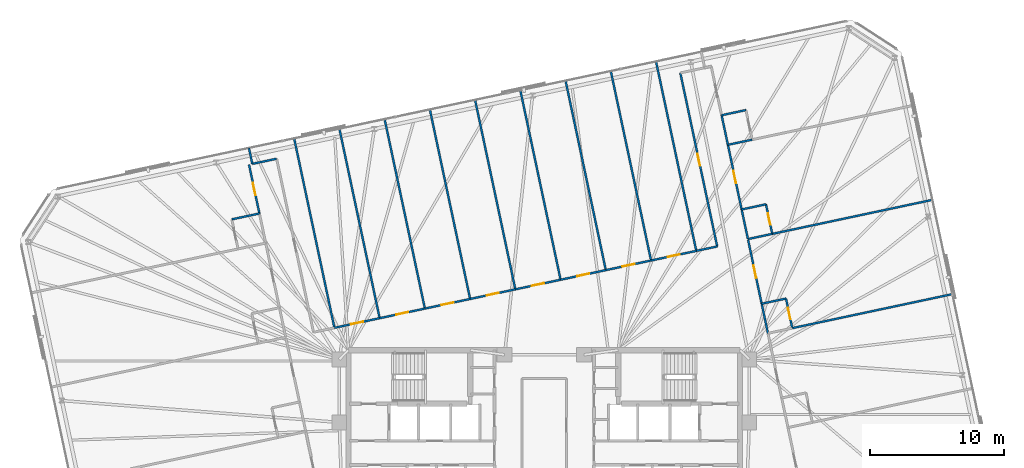
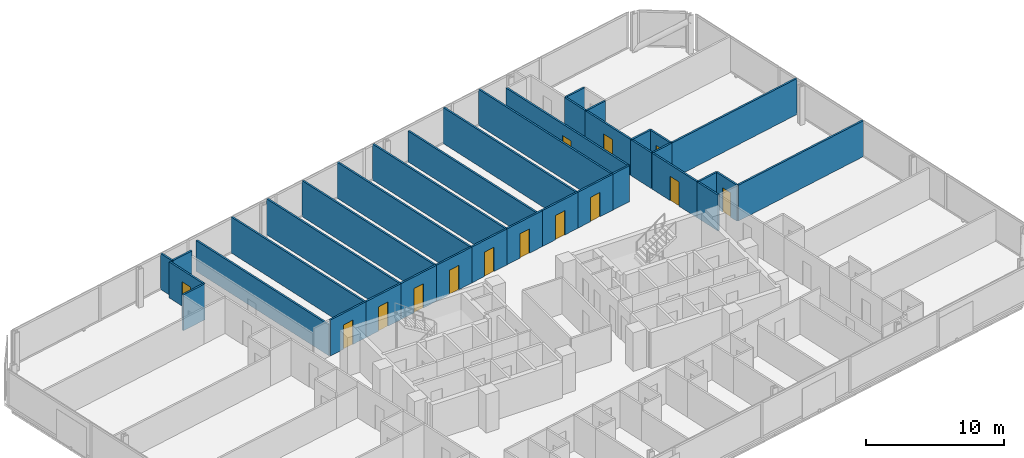
# One storey, part 18 of 21: 37 walls, 14 doors, 14 openings.
"""IFC4 building model written with IfcOpenShell, lengths in metres."""

from ifc_helpers import new_model, si_unit, direction, frame, frame_2d, origin, place, context, subcontext, project, spatial, rectangle, extrude, material, layer, layer_set, type_object, element, fill, save


model = new_model("IFC4")

# Units and contexts
model_context = context("Model", 3, precision=1e-05, world=origin(), true_north=direction((0.0, 1.0)))
body_context = subcontext(model_context, "Body", "Model", "MODEL_VIEW")
ifc_project = project(units=[si_unit("LENGTHUNIT", "METRE"), si_unit("AREAUNIT", "SQUARE_METRE"), si_unit("VOLUMEUNIT", "CUBIC_METRE"), si_unit("PLANEANGLEUNIT", "RADIAN"), si_unit("MASSUNIT", "GRAM", prefix="KILO")], contexts=[model_context])

# Site, building, storey
site_placement = place(None, origin())
site = spatial("IfcSite", under=ifc_project, at=site_placement, CompositionType="ELEMENT")
building_placement = place(site_placement, origin())
building = spatial("IfcBuilding", under=site, at=building_placement, Name="Menara Jurai Vektor", CompositionType="ELEMENT")
storey_placement = place(building_placement, frame((0.0, 0.0, 188.800048828125)))
storey = spatial("IfcBuildingStorey", under=building, at=storey_placement, Name="L49", CompositionType="ELEMENT", Elevation=188.800048828125)

# Wall
ifc_material_1 = material(Name="Gypsum Fireboard Partition", Category="gypsum")
ifc_layer_1 = layer(ifc_material_1, 0.14990234375)
ifc_layer_set_1 = layer_set([ifc_layer_1], Name="Gypsum Fireboard Partition")
wall_type_1 = type_object("IfcWallType", Name="INT-WALL-CORR-150", PredefinedType="PARTITIONING", material=ifc_layer_set_1)
wall_1_placement = place(storey_placement, frame((-21.71533203125, 19.447998046875, 0.0), z_axis=(0.0, 0.0, 1.0), x_axis=(0.978160192495, 0.207852442415, 0.0)))
element("IfcWall", 1, at=wall_1_placement, inside=storey, type_object=wall_type_1, Name="Interior Wall IW-150 L49", PredefinedType="PARTITIONING", context=body_context, shape_type="SweptSolid", body=[
    extrude(rectangle(XDim=1.849853515625, YDim=0.14990234375, at=frame_2d((0.9248046875, 0.0))), origin(), (0.0, 0.0, 1.0), 3.175048828125),
])

# Wall, opening, door
wall_2_placement = place(storey_placement, frame((-15.608154296875, 7.25634765625, 0.0), z_axis=(0.0, 0.0, 1.0), x_axis=(0.978154160849, 0.207880825506, 0.0)))
wall_2 = element("IfcWall", 2, at=wall_2_placement, inside=storey, type_object=wall_type_1, Name="Interior Wall IW-150 L49", PredefinedType="PARTITIONING", context=body_context, shape_type="SweptSolid", body=[
    extrude(rectangle(XDim=3.43994140625, YDim=0.14990234375, at=frame_2d((1.719970703125, 0.0))), origin(), (0.0, 0.0, 1.0), 3.175048828125),
])
opening_1_placement = place(wall_2_placement, frame((1.260009765625, 0.0, 0.0)))
opening_1 = element("IfcOpeningElement", 3, at=opening_1_placement, cuts=wall_2, Name="Opening D49-10", PredefinedType="OPENING", context=body_context, shape_type="SweptSolid", body=[
    extrude(rectangle(XDim=0.919921875, YDim=2.14990234375, at=frame_2d((0.4599609375, 1.074951171875))), frame((0.0, 0.0849609375, 0.0), z_axis=(0.0, -1.0, 0.0), x_axis=(1.0, 0.0, 0.0)), (0.0, 0.0, 1.0), 0.169921875),
])
ifc_material_2 = material(Name="Solid Core Timber Fire Door", Category="wood")
door_type_1 = type_object("IfcDoorType", Name="DR-ENTRY-950", OperationType="NOTDEFINED", PredefinedType="DOOR", material=ifc_material_2)
door_1_placement = place(opening_1_placement, origin())
door_1 = element("IfcDoor", 4, at=door_1_placement, inside=storey, type_object=door_type_1, Name="Interior Door D49-10", OperationType="SINGLE_SWING_LEFT", OverallHeight=2.14990234375, OverallWidth=0.919921875, PredefinedType="DOOR", context=body_context, shape_type="SweptSolid", body=[
    extrude(rectangle(XDim=0.919921875, YDim=2.14990234375, at=frame_2d((0.4599609375, 1.074951171875))), frame((0.0, 0.02490234375, 0.0), z_axis=(0.0, -1.0, 0.0), x_axis=(1.0, 0.0, 0.0)), (0.0, 0.0, 1.0), 0.050048828125),
])
fill(opening_1, door_1)

wall_3_placement = place(storey_placement, frame((-12.243408203125, 7.971435546875, 0.0), z_axis=(0.0, 0.0, 1.0), x_axis=(0.978144956759, 0.207924129352, 0.0)))
wall_3 = element("IfcWall", 5, at=wall_3_placement, inside=storey, type_object=wall_type_1, Name="Interior Wall IW-150 L49", PredefinedType="PARTITIONING", context=body_context, shape_type="SweptSolid", body=[
    extrude(rectangle(XDim=3.439208984375, YDim=0.14990234375, at=frame_2d((1.7197265625, 0.0))), origin(), (0.0, 0.0, 1.0), 3.175048828125),
])
opening_2_placement = place(wall_3_placement, frame((1.259521484375, 0.0, 0.0)))
opening_2 = element("IfcOpeningElement", 6, at=opening_2_placement, cuts=wall_3, Name="Opening D49-11", PredefinedType="OPENING", context=body_context, shape_type="SweptSolid", body=[
    extrude(rectangle(XDim=0.919921875, YDim=2.14990234375, at=frame_2d((0.4599609375, 1.074951171875))), frame((0.0, 0.0849609375, 0.0), z_axis=(0.0, -1.0, 0.0), x_axis=(1.0, 0.0, 0.0)), (0.0, 0.0, 1.0), 0.169921875),
])
door_2_placement = place(opening_2_placement, origin())
door_2 = element("IfcDoor", 7, at=door_2_placement, inside=storey, type_object=door_type_1, Name="Interior Door D49-11", OperationType="SINGLE_SWING_RIGHT", OverallHeight=2.14990234375, OverallWidth=0.919921875, PredefinedType="DOOR", context=body_context, shape_type="SweptSolid", body=[
    extrude(rectangle(XDim=0.919921875, YDim=2.14990234375, at=frame_2d((0.4599609375, 1.074951171875))), frame((0.0, 0.02490234375, 0.0), z_axis=(0.0, -1.0, 0.0), x_axis=(1.0, 0.0, 0.0)), (0.0, 0.0, 1.0), 0.050048828125),
])
fill(opening_2, door_2)

wall_4_placement = place(storey_placement, frame((-8.87939453125, 8.6865234375, 0.0), z_axis=(0.0, 0.0, 1.0), x_axis=(0.978154160849, 0.207880825506, 0.0)))
wall_4 = element("IfcWall", 8, at=wall_4_placement, inside=storey, type_object=wall_type_1, Name="Interior Wall IW-150 L49", PredefinedType="PARTITIONING", context=body_context, shape_type="SweptSolid", body=[
    extrude(rectangle(XDim=3.43994140625, YDim=0.14990234375, at=frame_2d((1.719970703125, 0.0))), origin(), (0.0, 0.0, 1.0), 3.175048828125),
])
opening_3_placement = place(wall_4_placement, frame((1.260009765625, 0.0, 0.0)))
opening_3 = element("IfcOpeningElement", 9, at=opening_3_placement, cuts=wall_4, Name="Opening D49-12", PredefinedType="OPENING", context=body_context, shape_type="SweptSolid", body=[
    extrude(rectangle(XDim=0.919921875, YDim=2.14990234375, at=frame_2d((0.4599609375, 1.074951171875))), frame((0.0, 0.0849609375, 0.0), z_axis=(0.0, -1.0, 0.0), x_axis=(1.0, 0.0, 0.0)), (0.0, 0.0, 1.0), 0.169921875),
])
door_3_placement = place(opening_3_placement, origin())
door_3 = element("IfcDoor", 10, at=door_3_placement, inside=storey, type_object=door_type_1, Name="Interior Door D49-12", OperationType="SINGLE_SWING_LEFT", OverallHeight=2.14990234375, OverallWidth=0.919921875, PredefinedType="DOOR", context=body_context, shape_type="SweptSolid", body=[
    extrude(rectangle(XDim=0.919921875, YDim=2.14990234375, at=frame_2d((0.4599609375, 1.074951171875))), frame((0.0, 0.02490234375, 0.0), z_axis=(0.0, -1.0, 0.0), x_axis=(1.0, 0.0, 0.0)), (0.0, 0.0, 1.0), 0.050048828125),
])
fill(opening_3, door_3)

wall_5_placement = place(storey_placement, frame((-5.5146484375, 9.401611328125, 0.0), z_axis=(0.0, 0.0, 1.0), x_axis=(0.978141887451, 0.207938567887, 0.0)))
wall_5 = element("IfcWall", 11, at=wall_5_placement, inside=storey, type_object=wall_type_1, Name="Interior Wall IW-150 L49", PredefinedType="PARTITIONING", context=body_context, shape_type="SweptSolid", body=[
    extrude(rectangle(XDim=3.43896484375, YDim=0.14990234375, at=frame_2d((1.719482421875, 0.0))), origin(), (0.0, 0.0, 1.0), 3.175048828125),
])
opening_4_placement = place(wall_5_placement, frame((1.259521484375, 0.0, 0.0)))
opening_4 = element("IfcOpeningElement", 12, at=opening_4_placement, cuts=wall_5, Name="Opening D49-13", PredefinedType="OPENING", context=body_context, shape_type="SweptSolid", body=[
    extrude(rectangle(XDim=0.919921875, YDim=2.14990234375, at=frame_2d((0.4599609375, 1.074951171875))), frame((0.0, 0.0849609375, 0.0), z_axis=(0.0, -1.0, 0.0), x_axis=(1.0, 0.0, 0.0)), (0.0, 0.0, 1.0), 0.169921875),
])
door_4_placement = place(opening_4_placement, origin())
door_4 = element("IfcDoor", 13, at=door_4_placement, inside=storey, type_object=door_type_1, Name="Interior Door D49-13", OperationType="SINGLE_SWING_RIGHT", OverallHeight=2.14990234375, OverallWidth=0.919921875, PredefinedType="DOOR", context=body_context, shape_type="SweptSolid", body=[
    extrude(rectangle(XDim=0.919921875, YDim=2.14990234375, at=frame_2d((0.4599609375, 1.074951171875))), frame((0.0, 0.02490234375, 0.0), z_axis=(0.0, -1.0, 0.0), x_axis=(1.0, 0.0, 0.0)), (0.0, 0.0, 1.0), 0.050048828125),
])
fill(opening_4, door_4)

wall_6_placement = place(storey_placement, frame((-2.15087890625, 10.11669921875, 0.0), z_axis=(0.0, 0.0, 1.0), x_axis=(0.978157227602, 0.207866394808, 0.0)))
wall_6 = element("IfcWall", 14, at=wall_6_placement, inside=storey, type_object=wall_type_1, Name="Interior Wall IW-150 L49", PredefinedType="PARTITIONING", context=body_context, shape_type="SweptSolid", body=[
    extrude(rectangle(XDim=3.440185546875, YDim=0.14990234375, at=frame_2d((1.72021484375, 0.0))), origin(), (0.0, 0.0, 1.0), 3.175048828125),
])
opening_5_placement = place(wall_6_placement, frame((1.260009765625, 0.0, 0.0)))
opening_5 = element("IfcOpeningElement", 15, at=opening_5_placement, cuts=wall_6, Name="Opening D49-14", PredefinedType="OPENING", context=body_context, shape_type="SweptSolid", body=[
    extrude(rectangle(XDim=0.919921875, YDim=2.14990234375, at=frame_2d((0.4599609375, 1.074951171875))), frame((0.0, 0.0849609375, 0.0), z_axis=(0.0, -1.0, 0.0), x_axis=(1.0, 0.0, 0.0)), (0.0, 0.0, 1.0), 0.169921875),
])
door_5_placement = place(opening_5_placement, origin())
door_5 = element("IfcDoor", 16, at=door_5_placement, inside=storey, type_object=door_type_1, Name="Interior Door D49-14", OperationType="SINGLE_SWING_LEFT", OverallHeight=2.14990234375, OverallWidth=0.919921875, PredefinedType="DOOR", context=body_context, shape_type="SweptSolid", body=[
    extrude(rectangle(XDim=0.919921875, YDim=2.14990234375, at=frame_2d((0.4599609375, 1.074951171875))), frame((0.0, 0.02490234375, 0.0), z_axis=(0.0, -1.0, 0.0), x_axis=(1.0, 0.0, 0.0)), (0.0, 0.0, 1.0), 0.050048828125),
])
fill(opening_5, door_5)

wall_7_placement = place(storey_placement, frame((1.214111328125, 10.831787109375, 0.0), z_axis=(0.0, 0.0, 1.0), x_axis=(0.978141887451, 0.207938567887, 0.0)))
wall_7 = element("IfcWall", 17, at=wall_7_placement, inside=storey, type_object=wall_type_1, Name="Interior Wall IW-150 L49", PredefinedType="PARTITIONING", context=body_context, shape_type="SweptSolid", body=[
    extrude(rectangle(XDim=3.43896484375, YDim=0.14990234375, at=frame_2d((1.719482421875, 0.0))), origin(), (0.0, 0.0, 1.0), 3.175048828125),
])
opening_6_placement = place(wall_7_placement, frame((1.259521484375, 0.0, 0.0)))
opening_6 = element("IfcOpeningElement", 18, at=opening_6_placement, cuts=wall_7, Name="Opening D49-15", PredefinedType="OPENING", context=body_context, shape_type="SweptSolid", body=[
    extrude(rectangle(XDim=0.919921875, YDim=2.14990234375, at=frame_2d((0.4599609375, 1.074951171875))), frame((0.0, 0.0849609375, 0.0), z_axis=(0.0, -1.0, 0.0), x_axis=(1.0, 0.0, 0.0)), (0.0, 0.0, 1.0), 0.169921875),
])
door_6_placement = place(opening_6_placement, origin())
door_6 = element("IfcDoor", 19, at=door_6_placement, inside=storey, type_object=door_type_1, Name="Interior Door D49-15", OperationType="SINGLE_SWING_RIGHT", OverallHeight=2.14990234375, OverallWidth=0.919921875, PredefinedType="DOOR", context=body_context, shape_type="SweptSolid", body=[
    extrude(rectangle(XDim=0.919921875, YDim=2.14990234375, at=frame_2d((0.4599609375, 1.074951171875))), frame((0.0, 0.02490234375, 0.0), z_axis=(0.0, -1.0, 0.0), x_axis=(1.0, 0.0, 0.0)), (0.0, 0.0, 1.0), 0.050048828125),
])
fill(opening_6, door_6)

wall_8_placement = place(storey_placement, frame((4.577880859375, 11.546875, 0.0), z_axis=(0.0, 0.0, 1.0), x_axis=(0.978139727028, 0.207948730242, 0.0)))
wall_8 = element("IfcWall", 20, at=wall_8_placement, inside=storey, type_object=wall_type_1, Name="Interior Wall IW-150 L49", PredefinedType="PARTITIONING", context=body_context, shape_type="SweptSolid", body=[
    extrude(rectangle(XDim=3.43994140625, YDim=0.14990234375, at=frame_2d((1.719970703125, 0.0))), origin(), (0.0, 0.0, 1.0), 3.175048828125),
])
opening_7_placement = place(wall_8_placement, frame((1.260009765625, 0.0, 0.0)))
opening_7 = element("IfcOpeningElement", 21, at=opening_7_placement, cuts=wall_8, Name="Opening D49-16", PredefinedType="OPENING", context=body_context, shape_type="SweptSolid", body=[
    extrude(rectangle(XDim=0.919921875, YDim=2.14990234375, at=frame_2d((0.4599609375, 1.074951171875))), frame((0.0, 0.0849609375, 0.0), z_axis=(0.0, -1.0, 0.0), x_axis=(1.0, 0.0, 0.0)), (0.0, 0.0, 1.0), 0.169921875),
])
door_7_placement = place(opening_7_placement, origin())
door_7 = element("IfcDoor", 22, at=door_7_placement, inside=storey, type_object=door_type_1, Name="Interior Door D49-16", OperationType="SINGLE_SWING_LEFT", OverallHeight=2.14990234375, OverallWidth=0.919921875, PredefinedType="DOOR", context=body_context, shape_type="SweptSolid", body=[
    extrude(rectangle(XDim=0.919921875, YDim=2.14990234375, at=frame_2d((0.4599609375, 1.074951171875))), frame((0.0, 0.02490234375, 0.0), z_axis=(0.0, -1.0, 0.0), x_axis=(1.0, 0.0, 0.0)), (0.0, 0.0, 1.0), 0.050048828125),
])
fill(opening_7, door_7)

wall_9_placement = place(storey_placement, frame((7.942626953125, 12.26220703125, 0.0), z_axis=(0.0, 0.0, 1.0), x_axis=(0.978144956759, 0.207924129352, 0.0)))
wall_9 = element("IfcWall", 23, at=wall_9_placement, inside=storey, type_object=wall_type_1, Name="Interior Wall IW-150 L49", PredefinedType="PARTITIONING", context=body_context, shape_type="SweptSolid", body=[
    extrude(rectangle(XDim=3.439208984375, YDim=0.14990234375, at=frame_2d((1.7197265625, 0.0))), origin(), (0.0, 0.0, 1.0), 3.175048828125),
])
opening_8_placement = place(wall_9_placement, frame((1.259521484375, 0.0, 0.0)))
opening_8 = element("IfcOpeningElement", 24, at=opening_8_placement, cuts=wall_9, Name="Opening D49-17", PredefinedType="OPENING", context=body_context, shape_type="SweptSolid", body=[
    extrude(rectangle(XDim=0.919921875, YDim=2.14990234375, at=frame_2d((0.4599609375, 1.074951171875))), frame((0.0, 0.0849609375, 0.0), z_axis=(0.0, -1.0, 0.0), x_axis=(1.0, 0.0, 0.0)), (0.0, 0.0, 1.0), 0.169921875),
])
door_8_placement = place(opening_8_placement, origin())
door_8 = element("IfcDoor", 25, at=door_8_placement, inside=storey, type_object=door_type_1, Name="Interior Door D49-17", OperationType="SINGLE_SWING_RIGHT", OverallHeight=2.14990234375, OverallWidth=0.919921875, PredefinedType="DOOR", context=body_context, shape_type="SweptSolid", body=[
    extrude(rectangle(XDim=0.919921875, YDim=2.14990234375, at=frame_2d((0.4599609375, 1.074951171875))), frame((0.0, 0.02490234375, 0.0), z_axis=(0.0, -1.0, 0.0), x_axis=(1.0, 0.0, 0.0)), (0.0, 0.0, 1.0), 0.050048828125),
])
fill(opening_8, door_8)

# Wall
wall_10_placement = place(storey_placement, frame((11.306640625, 12.977294921875, 0.0), z_axis=(0.0, 0.0, 1.0), x_axis=(0.97817836016, 0.20776692642, 0.0)))
element("IfcWall", 26, at=wall_10_placement, inside=storey, type_object=wall_type_1, Name="Interior Wall IW-150 L49", PredefinedType="PARTITIONING", context=body_context, shape_type="SweptSolid", body=[
    extrude(rectangle(XDim=1.58984375, YDim=0.14990234375, at=frame_2d((0.794921875, 0.0))), origin(), (0.0, 0.0, 1.0), 3.175048828125),
])

# Wall, opening, door
wall_11_placement = place(storey_placement, frame((12.86181640625, 13.3076171875, 0.0), z_axis=(0.0, 0.0, 1.0), x_axis=(-0.207911421929, 0.978147657888, 0.0)))
wall_11 = element("IfcWall", 27, at=wall_11_placement, inside=storey, type_object=wall_type_1, Name="Interior Wall IW-150 L49", PredefinedType="PARTITIONING", context=body_context, shape_type="SweptSolid", body=[
    extrude(rectangle(XDim=13.195068359375, YDim=0.14990234375, at=frame_2d((6.59765625, 0.0))), origin(), (0.0, 0.0, 1.0), 3.175048828125),
])
opening_9_placement = place(wall_11_placement, frame((6.137451171875, 0.0, 0.0)))
opening_9 = element("IfcOpeningElement", 28, at=opening_9_placement, cuts=wall_11, Name="Opening D49-18", PredefinedType="OPENING", context=body_context, shape_type="SweptSolid", body=[
    extrude(rectangle(XDim=0.919921875, YDim=2.14990234375, at=frame_2d((0.4599609375, 1.074951171875))), frame((0.0, 0.0849609375, 0.0), z_axis=(0.0, -1.0, 0.0), x_axis=(1.0, 0.0, 0.0)), (0.0, 0.0, 1.0), 0.169921875),
])
door_9_placement = place(opening_9_placement, origin())
door_9 = element("IfcDoor", 29, at=door_9_placement, inside=storey, type_object=door_type_1, Name="Interior Door D49-18", OperationType="SINGLE_SWING_LEFT", OverallHeight=2.14990234375, OverallWidth=0.919921875, PredefinedType="DOOR", context=body_context, shape_type="SweptSolid", body=[
    extrude(rectangle(XDim=0.919921875, YDim=2.14990234375, at=frame_2d((0.4599609375, 1.074951171875))), frame((0.0, 0.02490234375, 0.0), z_axis=(0.0, -1.0, 0.0), x_axis=(1.0, 0.0, 0.0)), (0.0, 0.0, 1.0), 0.050048828125),
])
fill(opening_9, door_9)

wall_12_placement = place(storey_placement, frame((-21.18701171875, 15.76025390625, 0.0), z_axis=(0.0, 0.0, 1.0), x_axis=(-0.207949879289, 0.978139482745, 0.0)))
wall_12 = element("IfcWall", 30, at=wall_12_placement, inside=storey, type_object=wall_type_1, Name="Interior Wall IW-150 L49", PredefinedType="PARTITIONING", context=body_context, shape_type="SweptSolid", body=[
    extrude(rectangle(XDim=3.717041015625, YDim=0.14990234375, at=frame_2d((1.8583984375, 0.0))), origin(), (0.0, 0.0, 1.0), 3.175048828125),
])
opening_10_placement = place(wall_12_placement, frame((1.383544921875, 0.0, 0.0)))
opening_10 = element("IfcOpeningElement", 31, at=opening_10_placement, cuts=wall_12, Name="Opening D49-42", PredefinedType="OPENING", context=body_context, shape_type="SweptSolid", body=[
    extrude(rectangle(XDim=0.949951171875, YDim=2.14990234375, at=frame_2d((0.47509765625, 1.074951171875))), frame((0.0, 0.0849609375, 0.0), z_axis=(0.0, -1.0, 0.0), x_axis=(1.0, 0.0, 0.0)), (0.0, 0.0, 1.0), 0.169921875),
])
door_10_placement = place(opening_10_placement, origin())
door_10 = element("IfcDoor", 32, at=door_10_placement, inside=storey, type_object=door_type_1, Name="Interior Door D49-42", OperationType="SINGLE_SWING_LEFT", OverallHeight=2.14990234375, OverallWidth=0.949951171875, PredefinedType="DOOR", context=body_context, shape_type="SweptSolid", body=[
    extrude(rectangle(XDim=0.949951171875, YDim=2.14990234375, at=frame_2d((0.47509765625, 1.074951171875))), frame((0.0, 0.02490234375, 0.0), z_axis=(0.0, -1.0, 0.0), x_axis=(1.0, 0.0, 0.0)), (0.0, 0.0, 1.0), 0.050048828125),
])
fill(opening_10, door_10)

wall_13_placement = place(storey_placement, frame((16.169921875, 9.04736328125, 0.0), z_axis=(0.0, 0.0, 1.0), x_axis=(-0.20792851832, 0.978144023787, 0.0)))
wall_13 = element("IfcWall", 33, at=wall_13_placement, inside=storey, type_object=wall_type_1, Name="Interior Wall IW-150 L49", PredefinedType="PARTITIONING", context=body_context, shape_type="SweptSolid", body=[
    extrude(rectangle(XDim=4.855224609375, YDim=0.14990234375, at=frame_2d((2.427734375, 0.0))), origin(), (0.0, 0.0, 1.0), 3.175048828125),
])
opening_11_placement = place(wall_13_placement, frame((1.952392578125, 0.0, 0.0)))
opening_11 = element("IfcOpeningElement", 34, at=opening_11_placement, cuts=wall_13, Name="Opening D49-50", PredefinedType="OPENING", context=body_context, shape_type="SweptSolid", body=[
    extrude(rectangle(XDim=0.949951171875, YDim=2.14990234375, at=frame_2d((0.47509765625, 1.074951171875))), frame((0.0, 0.0849609375, 0.0), z_axis=(0.0, -1.0, 0.0), x_axis=(1.0, 0.0, 0.0)), (0.0, 0.0, 1.0), 0.169921875),
])
door_11_placement = place(opening_11_placement, origin())
door_11 = element("IfcDoor", 35, at=door_11_placement, inside=storey, type_object=door_type_1, Name="Interior Door D49-50", OperationType="SINGLE_SWING_LEFT", OverallHeight=2.14990234375, OverallWidth=0.949951171875, PredefinedType="DOOR", context=body_context, shape_type="SweptSolid", body=[
    extrude(rectangle(XDim=0.949951171875, YDim=2.14990234375, at=frame_2d((0.47509765625, 1.074951171875))), frame((0.0, 0.02490234375, 0.0), z_axis=(0.0, -1.0, 0.0), x_axis=(1.0, 0.0, 0.0)), (0.0, 0.0, 1.0), 0.050048828125),
])
fill(opening_11, door_11)

# Wall
wall_14_placement = place(storey_placement, frame((16.6376953125, 6.8466796875, 0.0), z_axis=(0.0, 0.0, 1.0), x_axis=(-0.207913264065, 0.978147266328, 0.0)))
element("IfcWall", 36, at=wall_14_placement, inside=storey, type_object=wall_type_1, Name="Interior Wall IW-150 L49", PredefinedType="PARTITIONING", context=body_context, shape_type="SweptSolid", body=[
    extrude(rectangle(XDim=2.249755859375, YDim=0.14990234375, at=frame_2d((1.125, 0.0))), origin(), (0.0, 0.0, 1.0), 3.175048828125),
])

# Wall, opening, door
wall_15_placement = place(storey_placement, frame((14.6796875, 16.057861328125, 0.0), z_axis=(0.0, 0.0, 1.0), x_axis=(-0.207887265829, 0.978152792107, 0.0)))
wall_15 = element("IfcWall", 37, at=wall_15_placement, inside=storey, type_object=wall_type_1, Name="Interior Wall IW-150 L49", PredefinedType="PARTITIONING", context=body_context, shape_type="SweptSolid", body=[
    extrude(rectangle(XDim=4.916015625, YDim=0.14990234375, at=frame_2d((2.4580078125, 0.0))), origin(), (0.0, 0.0, 1.0), 3.175048828125),
])
opening_12_placement = place(wall_15_placement, frame((1.98291015625, 0.0, 0.0)))
opening_12 = element("IfcOpeningElement", 38, at=opening_12_placement, cuts=wall_15, Name="Opening D49-52", PredefinedType="OPENING", context=body_context, shape_type="SweptSolid", body=[
    extrude(rectangle(XDim=0.949951171875, YDim=2.14990234375, at=frame_2d((0.47509765625, 1.074951171875))), frame((0.0, 0.0849609375, 0.0), z_axis=(0.0, -1.0, 0.0), x_axis=(1.0, 0.0, 0.0)), (0.0, 0.0, 1.0), 0.169921875),
])
door_12_placement = place(opening_12_placement, origin())
door_12 = element("IfcDoor", 39, at=door_12_placement, inside=storey, type_object=door_type_1, Name="Interior Door D49-52", OperationType="SINGLE_SWING_LEFT", OverallHeight=2.14990234375, OverallWidth=0.949951171875, PredefinedType="DOOR", context=body_context, shape_type="SweptSolid", body=[
    extrude(rectangle(XDim=0.949951171875, YDim=2.14990234375, at=frame_2d((0.47509765625, 1.074951171875))), frame((0.0, 0.02490234375, 0.0), z_axis=(0.0, -1.0, 0.0), x_axis=(1.0, 0.0, 0.0)), (0.0, 0.0, 1.0), 0.050048828125),
])
fill(opening_12, door_12)

# Walls
wall_16_placement = place(storey_placement, frame((15.147705078125, 13.85693359375, 0.0), z_axis=(0.0, 0.0, 1.0), x_axis=(-0.207995007687, 0.978129887478, 0.0)))
element("IfcWall", 40, at=wall_16_placement, inside=storey, type_object=wall_type_1, Name="Interior Wall IW-150 L49", PredefinedType="PARTITIONING", context=body_context, shape_type="SweptSolid", body=[
    extrude(rectangle(XDim=2.250244140625, YDim=0.14990234375, at=frame_2d((1.125, 0.0))), origin(), (0.0, 0.0, 1.0), 3.175048828125),
])
wall_17_placement = place(storey_placement, frame((13.65771484375, 20.866455078125, 0.0), z_axis=(0.0, 0.0, 1.0), x_axis=(-0.207913264065, 0.978147266328, 0.0)))
element("IfcWall", 41, at=wall_17_placement, inside=storey, type_object=wall_type_1, Name="Interior Wall IW-150 L49", PredefinedType="PARTITIONING", context=body_context, shape_type="SweptSolid", body=[
    extrude(rectangle(XDim=2.249755859375, YDim=0.14990234375, at=frame_2d((1.125, 0.0))), origin(), (0.0, 0.0, 1.0), 3.175048828125),
])
wall_18_placement = place(storey_placement, frame((-21.71533203125, 19.447998046875, 0.0), z_axis=(0.0, 0.0, 1.0), x_axis=(-0.20795853359, 0.978137642823, 0.0)))
element("IfcWall", 42, at=wall_18_placement, inside=storey, type_object=wall_type_1, Name="Interior Wall IW-150 L49", PredefinedType="PARTITIONING", context=body_context, shape_type="SweptSolid", body=[
    extrude(rectangle(XDim=1.19970703125, YDim=0.14990234375, at=frame_2d((0.599853515625, 0.0))), origin(), (0.0, 0.0, 1.0), 3.175048828125),
])
wall_19_placement = place(storey_placement, frame((-12.243408203125, 7.971435546875, 0.0), z_axis=(0.0, 0.0, 1.0), x_axis=(-0.207895672639, 0.978151005366, 0.0)))
element("IfcWall", 43, at=wall_19_placement, inside=storey, type_object=wall_type_1, Name="Interior Wall IW-150 L49", PredefinedType="PARTITIONING", context=body_context, shape_type="SweptSolid", body=[
    extrude(rectangle(XDim=14.39501953125, YDim=0.14990234375, at=frame_2d((7.197509765625, 0.0))), origin(), (0.0, 0.0, 1.0), 3.175048828125),
])
wall_20_placement = place(storey_placement, frame((-8.87939453125, 8.6865234375, 0.0), z_axis=(0.0, 0.0, 1.0), x_axis=(-0.207915348705, 0.978146823219, 0.0)))
element("IfcWall", 44, at=wall_20_placement, inside=storey, type_object=wall_type_1, Name="Interior Wall IW-150 L49", PredefinedType="PARTITIONING", context=body_context, shape_type="SweptSolid", body=[
    extrude(rectangle(XDim=14.394775390625, YDim=0.14990234375, at=frame_2d((7.197265625, 0.0))), origin(), (0.0, 0.0, 1.0), 3.175048828125),
])
wall_21_placement = place(storey_placement, frame((-5.5146484375, 9.401611328125, 0.0), z_axis=(0.0, 0.0, 1.0), x_axis=(-0.207911899531, 0.97814755637, 0.0)))
element("IfcWall", 45, at=wall_21_placement, inside=storey, type_object=wall_type_1, Name="Interior Wall IW-150 L49", PredefinedType="PARTITIONING", context=body_context, shape_type="SweptSolid", body=[
    extrude(rectangle(XDim=14.39501953125, YDim=0.14990234375, at=frame_2d((7.197509765625, 0.0))), origin(), (0.0, 0.0, 1.0), 3.175048828125),
])
wall_22_placement = place(storey_placement, frame((-2.15087890625, 10.11669921875, 0.0), z_axis=(0.0, 0.0, 1.0), x_axis=(-0.207915348705, 0.978146823219, 0.0)))
element("IfcWall", 46, at=wall_22_placement, inside=storey, type_object=wall_type_1, Name="Interior Wall IW-150 L49", PredefinedType="PARTITIONING", context=body_context, shape_type="SweptSolid", body=[
    extrude(rectangle(XDim=14.394775390625, YDim=0.14990234375, at=frame_2d((7.197265625, 0.0))), origin(), (0.0, 0.0, 1.0), 3.175048828125),
])
wall_23_placement = place(storey_placement, frame((1.214111328125, 10.831787109375, 0.0), z_axis=(0.0, 0.0, 1.0), x_axis=(-0.207911899531, 0.97814755637, 0.0)))
element("IfcWall", 47, at=wall_23_placement, inside=storey, type_object=wall_type_1, Name="Interior Wall IW-150 L49", PredefinedType="PARTITIONING", context=body_context, shape_type="SweptSolid", body=[
    extrude(rectangle(XDim=14.39501953125, YDim=0.14990234375, at=frame_2d((7.197509765625, 0.0))), origin(), (0.0, 0.0, 1.0), 3.175048828125),
])
for number, where, z_axis, x_axis, name in (
    (48, (7.942626953125, 12.26220703125, 0.0), (0.0, 0.0, 1.0), (-0.207915348705, 0.978146823219, 0.0), "Interior Wall IW-150 L49"),
    (49, (11.306640625, 12.977294921875, 0.0), (0.0, 0.0, 1.0), (-0.207915348705, 0.978146823219, 0.0), "Interior Wall IW-150 L49"),
):
    element("IfcWall", number, at=place(storey_placement, frame(where, z_axis=z_axis, x_axis=x_axis)), inside=storey, type_object=wall_type_1, Name=name, PredefinedType="PARTITIONING", context=body_context, shape_type="SweptSolid", body=[
        extrude(rectangle(XDim=14.394775390625, YDim=0.14990234375, at=frame_2d((7.197265625, 0.0))), origin(), (0.0, 0.0, 1.0), 3.175048828125),
    ])
wall_24_placement = place(storey_placement, frame((-23.2412109375, 15.323486328125, 0.0), z_axis=(0.0, 0.0, 1.0), x_axis=(0.978134617382, 0.207972763311, 0.0)))
element("IfcWall", 50, at=wall_24_placement, inside=storey, type_object=wall_type_1, Name="Interior Wall IW-150 L49", PredefinedType="PARTITIONING", context=body_context, shape_type="SweptSolid", body=[
    extrude(rectangle(XDim=2.10009765625, YDim=0.14990234375, at=frame_2d((1.050048828125, 0.0))), origin(), (0.0, 0.0, 1.0), 3.175048828125),
])
wall_25_placement = place(storey_placement, frame((18.447265625, 7.231201171875, 0.0), z_axis=(0.0, 0.0, 1.0), x_axis=(0.978149634612, 0.207902121941, 0.0)))
element("IfcWall", 51, at=wall_25_placement, inside=storey, type_object=wall_type_1, Name="Interior Wall IW-150 L49", PredefinedType="PARTITIONING", context=body_context, shape_type="SweptSolid", body=[
    extrude(rectangle(XDim=12.18701171875, YDim=0.14990234375, at=frame_2d((6.093505859375, 0.0))), origin(), (0.0, 0.0, 1.0), 3.175048828125),
])
wall_26_placement = place(storey_placement, frame((16.169921875, 9.04736328125, 0.0), z_axis=(0.0, 0.0, 1.0), x_axis=(0.978133353907, 0.20797870558, 0.0)))
element("IfcWall", 52, at=wall_26_placement, inside=storey, type_object=wall_type_1, Name="Interior Wall IW-150 L49", PredefinedType="PARTITIONING", context=body_context, shape_type="SweptSolid", body=[
    extrude(rectangle(XDim=1.85009765625, YDim=0.14990234375, at=frame_2d((0.925048828125, 0.0))), origin(), (0.0, 0.0, 1.0), 3.175048828125),
])

# Wall, opening, door
wall_27_placement = place(storey_placement, frame((18.447265625, 7.231201171875, 0.0), z_axis=(0.0, 0.0, 1.0), x_axis=(-0.207891197838, 0.978151956427, 0.0)))
wall_27 = element("IfcWall", 53, at=wall_27_placement, inside=storey, type_object=wall_type_1, Name="Interior Wall IW-150 L49", PredefinedType="PARTITIONING", context=body_context, shape_type="SweptSolid", body=[
    extrude(rectangle(XDim=2.25, YDim=0.14990234375, at=frame_2d((1.125, 0.0))), origin(), (0.0, 0.0, 1.0), 3.175048828125),
])
opening_13_placement = place(wall_27_placement, frame((0.68505859375, 0.0, 0.0)))
opening_13 = element("IfcOpeningElement", 54, at=opening_13_placement, cuts=wall_27, Name="Opening D49-51", PredefinedType="OPENING", context=body_context, shape_type="SweptSolid", body=[
    extrude(rectangle(XDim=0.8798828125, YDim=2.14990234375, at=frame_2d((0.43994140625, 1.074951171875))), frame((0.0, 0.0849609375, 0.0), z_axis=(0.0, -1.0, 0.0), x_axis=(1.0, 0.0, 0.0)), (0.0, 0.0, 1.0), 0.169921875),
])
ifc_material_3 = material(Name="Moisture-Resistant Timber Door", Category="wood")
door_type_2 = type_object("IfcDoorType", Name="DR-BATH-880", OperationType="NOTDEFINED", PredefinedType="DOOR", material=ifc_material_3)
door_13_placement = place(opening_13_placement, origin())
door_13 = element("IfcDoor", 55, at=door_13_placement, inside=storey, type_object=door_type_2, Name="Interior Door D49-51", OperationType="SINGLE_SWING_RIGHT", OverallHeight=2.14990234375, OverallWidth=0.8798828125, PredefinedType="DOOR", context=body_context, shape_type="SweptSolid", body=[
    extrude(rectangle(XDim=0.8798828125, YDim=2.14990234375, at=frame_2d((0.43994140625, 1.074951171875))), frame((0.0, 0.02490234375, 0.0), z_axis=(0.0, -1.0, 0.0), x_axis=(1.0, 0.0, 0.0)), (0.0, 0.0, 1.0), 0.050048828125),
])
fill(opening_13, door_13)

# Walls
wall_28_placement = place(storey_placement, frame((16.957275390625, 14.24169921875, 0.0), z_axis=(0.0, 0.0, 1.0), x_axis=(0.978148768696, 0.207906195911, 0.0)))
element("IfcWall", 56, at=wall_28_placement, inside=storey, type_object=wall_type_1, Name="Interior Wall IW-150 L49", PredefinedType="PARTITIONING", context=body_context, shape_type="SweptSolid", body=[
    extrude(rectangle(XDim=12.186767578125, YDim=0.14990234375, at=frame_2d((6.09326171875, 0.0))), origin(), (0.0, 0.0, 1.0), 3.175048828125),
])
for number, where, z_axis, x_axis, name in (
    (57, (15.147705078125, 13.85693359375, 0.0), (0.0, 0.0, 1.0), (0.978133353907, 0.20797870558, 0.0), "Interior Wall IW-150 L49"),
    (58, (14.6796875, 16.057861328125, 0.0), (0.0, 0.0, 1.0), (0.978165892835, 0.207825614625, 0.0), "Interior Wall IW-150 L49"),
):
    element("IfcWall", number, at=place(storey_placement, frame(where, z_axis=z_axis, x_axis=x_axis)), inside=storey, type_object=wall_type_1, Name=name, PredefinedType="PARTITIONING", context=body_context, shape_type="SweptSolid", body=[
        extrude(rectangle(XDim=1.85009765625, YDim=0.14990234375, at=frame_2d((0.925048828125, 0.0))), origin(), (0.0, 0.0, 1.0), 3.175048828125),
    ])

# Wall, opening, door
wall_29_placement = place(storey_placement, frame((16.957275390625, 14.24169921875, 0.0), z_axis=(0.0, 0.0, 1.0), x_axis=(-0.207913264065, 0.978147266328, 0.0)))
wall_29 = element("IfcWall", 59, at=wall_29_placement, inside=storey, type_object=wall_type_1, Name="Interior Wall IW-150 L49", PredefinedType="PARTITIONING", context=body_context, shape_type="SweptSolid", body=[
    extrude(rectangle(XDim=2.249755859375, YDim=0.14990234375, at=frame_2d((1.125, 0.0))), origin(), (0.0, 0.0, 1.0), 3.175048828125),
])
opening_14_placement = place(wall_29_placement, frame((0.68505859375, 0.0, 0.0)))
opening_14 = element("IfcOpeningElement", 60, at=opening_14_placement, cuts=wall_29, Name="Opening D49-53", PredefinedType="OPENING", context=body_context, shape_type="SweptSolid", body=[
    extrude(rectangle(XDim=0.8798828125, YDim=2.14990234375, at=frame_2d((0.43994140625, 1.074951171875))), frame((0.0, 0.0849609375, 0.0), z_axis=(0.0, -1.0, 0.0), x_axis=(1.0, 0.0, 0.0)), (0.0, 0.0, 1.0), 0.169921875),
])
door_14_placement = place(opening_14_placement, origin())
door_14 = element("IfcDoor", 61, at=door_14_placement, inside=storey, type_object=door_type_2, Name="Interior Door D49-53", OperationType="SINGLE_SWING_RIGHT", OverallHeight=2.14990234375, OverallWidth=0.8798828125, PredefinedType="DOOR", context=body_context, shape_type="SweptSolid", body=[
    extrude(rectangle(XDim=0.8798828125, YDim=2.14990234375, at=frame_2d((0.43994140625, 1.074951171875))), frame((0.0, 0.02490234375, 0.0), z_axis=(0.0, -1.0, 0.0), x_axis=(1.0, 0.0, 0.0)), (0.0, 0.0, 1.0), 0.050048828125),
])
fill(opening_14, door_14)

# Walls
wall_30_placement = place(storey_placement, frame((13.65771484375, 20.866455078125, 0.0), z_axis=(0.0, 0.0, 1.0), x_axis=(0.978160192495, 0.207852442415, 0.0)))
element("IfcWall", 62, at=wall_30_placement, inside=storey, type_object=wall_type_1, Name="Interior Wall IW-150 L49", PredefinedType="PARTITIONING", context=body_context, shape_type="SweptSolid", body=[
    extrude(rectangle(XDim=1.849853515625, YDim=0.14990234375, at=frame_2d((0.9248046875, 0.0))), origin(), (0.0, 0.0, 1.0), 3.175048828125),
])
wall_31_placement = place(storey_placement, frame((13.18994140625, 23.067138671875, 0.0), z_axis=(0.0, 0.0, 1.0), x_axis=(0.978133353907, 0.20797870558, 0.0)))
element("IfcWall", 63, at=wall_31_placement, inside=storey, type_object=wall_type_1, Name="Interior Wall IW-150 L49", PredefinedType="PARTITIONING", context=body_context, shape_type="SweptSolid", body=[
    extrude(rectangle(XDim=1.85009765625, YDim=0.14990234375, at=frame_2d((0.925048828125, 0.0))), origin(), (0.0, 0.0, 1.0), 3.175048828125),
])
ifc_layer_2 = layer(ifc_material_1, 0.14990234375)
ifc_layer_set_2 = layer_set([ifc_layer_2], Name="Gypsum Fireboard Partition")
wall_type_2 = type_object("IfcWallType", Name="INT-WALL-CORR-150-H1", PredefinedType="PARTITIONING", material=ifc_layer_set_2)
wall_32_placement = place(storey_placement, frame((-15.608154296875, 7.25634765625, 0.0), z_axis=(0.0, 0.0, 1.0), x_axis=(-0.207915348705, 0.978146823219, 0.0)))
element("IfcWall", 64, at=wall_32_placement, inside=storey, type_object=wall_type_2, Name="Interior Wall IW-150 L49", PredefinedType="PARTITIONING", context=body_context, shape_type="SweptSolid", body=[
    extrude(rectangle(XDim=14.394775390625, YDim=0.14990234375, at=frame_2d((7.197265625, 0.0))), origin(), (0.0, 0.0, 1.0), 2.724853515625),
])
wall_33_placement = place(storey_placement, frame((4.577880859375, 11.546875, 0.0), z_axis=(0.0, 0.0, 1.0), x_axis=(-0.207911899531, 0.97814755637, 0.0)))
element("IfcWall", 65, at=wall_33_placement, inside=storey, type_object=wall_type_2, Name="Interior Wall IW-150 L49", PredefinedType="PARTITIONING", context=body_context, shape_type="SweptSolid", body=[
    extrude(rectangle(XDim=14.39501953125, YDim=0.14990234375, at=frame_2d((7.197509765625, 0.0))), origin(), (0.0, 0.0, 1.0), 2.724853515625),
])

save(model, "model.ifc")
